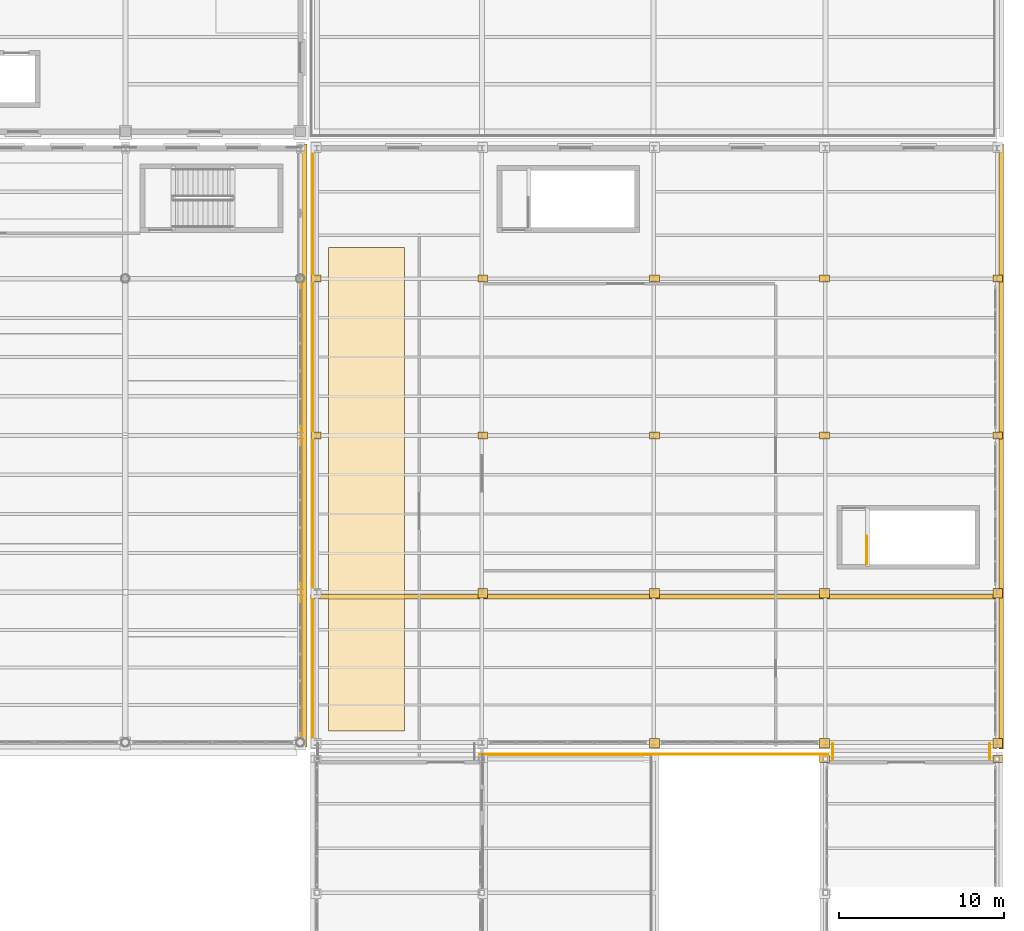
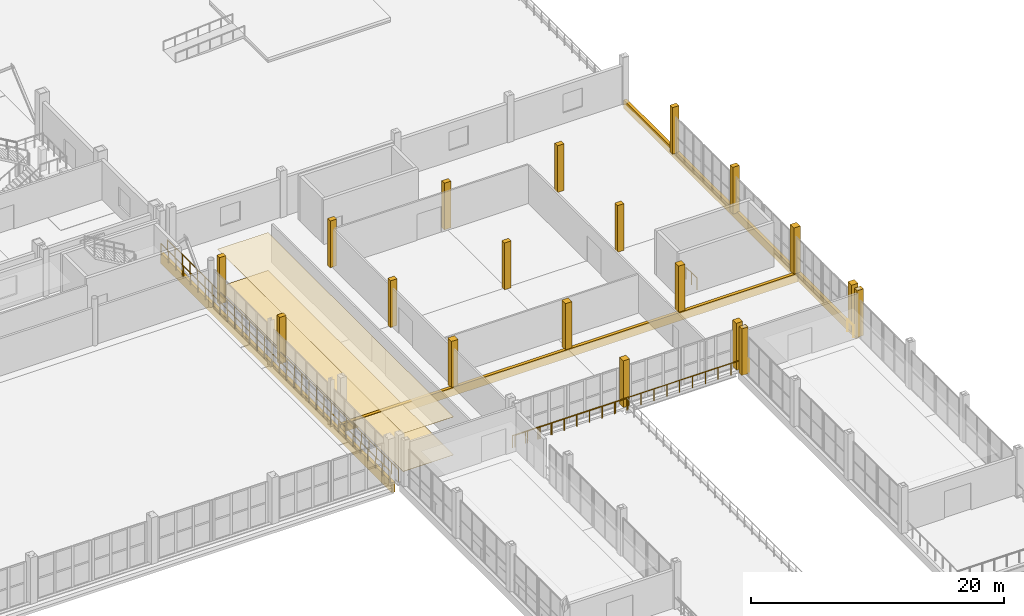
# One storey, part 151 of 156: 24 coverings, 7 railings.
"""IFC4 building model written with IfcOpenShell, lengths in metres."""

from ifc_helpers import new_model, si_unit, direction, frame, frame_2d, origin, origin_2d, place, context, subcontext, project, spatial, polyline, rectangle, circle, outline, extrude, material, layer, layer_set, type_object, element, save


model = new_model("IFC4")

# Units and contexts
model_context = context("Model", 3, precision=1e-05, world=origin(), true_north=direction((0.0, 1.0)))
body_context = subcontext(model_context, "Body", "Model", "MODEL_VIEW")
ifc_project = project(units=[si_unit("LENGTHUNIT", "METRE"), si_unit("AREAUNIT", "SQUARE_METRE"), si_unit("VOLUMEUNIT", "CUBIC_METRE"), si_unit("PLANEANGLEUNIT", "RADIAN"), si_unit("MASSUNIT", "GRAM", prefix="KILO")], contexts=[model_context])

# Site, building, storey
site_placement = place(None, origin())
site = spatial("IfcSite", under=ifc_project, at=site_placement, CompositionType="ELEMENT")
building_placement = place(site_placement, origin())
building = spatial("IfcBuilding", under=site, at=building_placement, Name="Caurita Quay Ferry Terminal", CompositionType="ELEMENT")
storey_placement = place(building_placement, frame((0.0, 0.0, 5.39990234375)))
storey = spatial("IfcBuildingStorey", under=building, at=storey_placement, Name="L01", CompositionType="ELEMENT", Elevation=5.39990234375)

# Coverings
ifc_material_1 = material(Name="Acoustic mineral fibre tile", Category="finish")
ifc_layer_1 = layer(ifc_material_1, 0.02001953125, Name="Acoustic mineral-fibre suspended ceiling 20 mm")
ifc_layer_set_1 = layer_set([ifc_layer_1], Name="Acoustic mineral fibre tile")
covering_type_1 = type_object("IfcCoveringType", Name="COV-CEIL-020", PredefinedType="CEILING", material=ifc_layer_set_1)
covering_1_placement = place(storey_placement, frame((0.0, 0.0, 3.670166015625)))
element("IfcCovering", 1, at=covering_1_placement, inside=storey, type_object=covering_type_1, Name="Berth 1 Boarding Gate Hold Lounge Acoustic Ceiling", PredefinedType="CEILING", context=body_context, shape_type="SweptSolid", body=[
    extrude(outline(polyline([(133.5, 35.300048828125), (138.10009765625, 35.300048828125), (138.10009765625, 64.60009765625), (133.5, 64.60009765625), (133.5, 35.300048828125)])), origin(), (0.0, 0.0, 1.0), 0.02001953125),
])
ifc_material_2 = material(Name="Coral stone ashlar cladding", Category="masonry")
ifc_layer_2 = layer(ifc_material_2, 0.239990234375, Name="Classical coral-stone entablature and cornice moulding 240 mm")
ifc_layer_set_2 = layer_set([ifc_layer_2], Name="Coral stone ashlar cladding")
covering_type_2 = type_object("IfcCoveringType", Name="COV-ENT-MLD", PredefinedType="MOLDING", material=ifc_layer_set_2)
covering_2_placement = place(storey_placement, frame((132.06005859375, 34.340087890625, -0.89990234375), z_axis=(0.0, 0.0, 1.0), x_axis=(0.0, 1.0, 0.0)))
element("IfcCovering", 2, at=covering_2_placement, inside=storey, type_object=covering_type_2, Name="L01 Classical Entablature Cornice 045", PredefinedType="MOLDING", context=body_context, shape_type="SweptSolid", body=[
    extrude(rectangle(XDim=36.510009765625, YDim=0.280029296875, at=frame_2d((18.2548828125, 0.0))), origin(), (0.0, 0.0, 1.0), 0.97998046875),
])
covering_3_placement = place(storey_placement, frame((132.39990234375, 43.43994140625, -0.75), z_axis=(0.0, 0.0, 1.0), x_axis=(1.0, 0.0, 0.0)))
element("IfcCovering", 3, at=covering_3_placement, inside=storey, type_object=covering_type_2, Name="L01 Classical Entablature Cornice 049", PredefinedType="MOLDING", context=body_context, shape_type="SweptSolid", body=[
    extrude(rectangle(XDim=41.860107421875, YDim=0.280029296875, at=frame_2d((20.93017578125, 0.0))), origin(), (0.0, 0.0, 1.0), 0.81005859375),
])
covering_4_placement = place(storey_placement, frame((174.260009765625, 34.199951171875, -0.75), z_axis=(0.0, 0.0, 1.0), x_axis=(0.0, 1.0, 0.0)))
element("IfcCovering", 4, at=covering_4_placement, inside=storey, type_object=covering_type_2, Name="L01 Classical Entablature Cornice 050", PredefinedType="MOLDING", context=body_context, shape_type="SweptSolid", body=[
    extrude(rectangle(XDim=36.650146484375, YDim=0.280029296875, at=frame_2d((18.3251953125, 0.0))), origin(), (0.0, 0.0, 1.0), 0.81005859375),
])
ifc_material_3 = material(Name="Polished marine terrazzo tile", Category="finish")
ifc_layer_3 = layer(ifc_material_3, 0.02490234375, Name="Polished marine terrazzo floor finish 25 mm")
ifc_layer_set_3 = layer_set([ifc_layer_3], Name="Polished marine terrazzo tile")
covering_type_3 = type_object("IfcCoveringType", Name="COV-FLR-025", PredefinedType="FLOORING", material=ifc_layer_set_3)
covering_5_placement = place(storey_placement, origin())
element("IfcCovering", 5, at=covering_5_placement, inside=storey, type_object=covering_type_3, Name="Berth 1 Boarding Gate Hold Lounge Terrazzo Flooring", PredefinedType="FLOORING", context=body_context, shape_type="SweptSolid", body=[
    extrude(outline(polyline([(133.5, 35.300048828125), (138.10009765625, 35.300048828125), (138.10009765625, 64.60009765625), (133.5, 64.60009765625), (133.5, 35.300048828125)])), origin(), (0.0, 0.0, 1.0), 0.025146484375),
])
ifc_material_4 = material(Name="Warm-white lime stucco masonry", Category="masonry")
ifc_layer_4 = layer(ifc_material_4, 0.179931640625, Name="Classical engaged lime-stucco facade pilaster cladding 180 mm")
ifc_layer_set_4 = layer_set([ifc_layer_4], Name="Warm-white lime stucco masonry")
covering_type_4 = type_object("IfcCoveringType", Name="COV-PIL-CLD", PredefinedType="CLADDING", material=ifc_layer_set_4)
for number, where, z_axis, x_axis, name in (
    (6, (132.75, 53.199951171875, 0.0), (0.0, 0.0, 1.0), (1.0, 0.0, 0.0), "L01 Classical Engaged Pilaster 0122"),
    (7, (132.75, 62.699951171875, 0.0), (0.0, 0.0, 1.0), (1.0, 0.0, 0.0), "L01 Classical Engaged Pilaster 0124"),
):
    element("IfcCovering", number, at=place(storey_placement, frame(where, z_axis=z_axis, x_axis=x_axis)), inside=storey, type_object=covering_type_4, Name=name, PredefinedType="CLADDING", context=body_context, shape_type="SweptSolid", body=[
        extrude(rectangle(XDim=0.584716796875, YDim=0.42724609375, at=origin_2d()), origin(), (0.0, 0.0, 1.0), 4.5),
    ])
covering_6_placement = place(storey_placement, frame((142.85009765625, 43.64990234375, 0.0), z_axis=(0.0, 0.0, 1.0), x_axis=(1.0, 0.0, 0.0)))
element("IfcCovering", 8, at=covering_6_placement, inside=storey, type_object=covering_type_4, Name="L01 Classical Engaged Pilaster 0139", PredefinedType="CLADDING", context=body_context, shape_type="SweptSolid", body=[
    extrude(rectangle(XDim=0.584716796875, YDim=0.58740234375, at=origin_2d()), origin(), (0.0, 0.0, 1.0), 4.5),
])
for number, where, z_axis, x_axis, name in (
    (9, (142.85009765625, 53.199951171875, 0.0), (0.0, 0.0, 1.0), (1.0, 0.0, 0.0), "L01 Classical Engaged Pilaster 0141"),
    (10, (142.85009765625, 62.699951171875, 0.0), (0.0, 0.0, 1.0), (1.0, 0.0, 0.0), "L01 Classical Engaged Pilaster 0143"),
):
    element("IfcCovering", number, at=place(storey_placement, frame(where, z_axis=z_axis, x_axis=x_axis)), inside=storey, type_object=covering_type_4, Name=name, PredefinedType="CLADDING", context=body_context, shape_type="SweptSolid", body=[
        extrude(rectangle(XDim=0.584716796875, YDim=0.42724609375, at=origin_2d()), origin(), (0.0, 0.0, 1.0), 4.5),
    ])
for number, where, z_axis, x_axis, name in (
    (11, (153.25, 34.550048828125, 0.0), (0.0, 0.0, 1.0), (1.0, 0.0, 0.0), "L01 Classical Engaged Pilaster 0156"),
    (12, (153.25, 43.64990234375, 0.0), (0.0, 0.0, 1.0), (1.0, 0.0, 0.0), "L01 Classical Engaged Pilaster 0158"),
):
    element("IfcCovering", number, at=place(storey_placement, frame(where, z_axis=z_axis, x_axis=x_axis)), inside=storey, type_object=covering_type_4, Name=name, PredefinedType="CLADDING", context=body_context, shape_type="SweptSolid", body=[
        extrude(rectangle(XDim=0.584716796875, YDim=0.58740234375, at=origin_2d()), origin(), (0.0, 0.0, 1.0), 4.5),
    ])
for number, where, z_axis, x_axis, name in (
    (13, (153.25, 53.199951171875, 0.0), (0.0, 0.0, 1.0), (1.0, 0.0, 0.0), "L01 Classical Engaged Pilaster 0160"),
    (14, (153.25, 62.699951171875, 0.0), (0.0, 0.0, 1.0), (1.0, 0.0, 0.0), "L01 Classical Engaged Pilaster 0162"),
):
    element("IfcCovering", number, at=place(storey_placement, frame(where, z_axis=z_axis, x_axis=x_axis)), inside=storey, type_object=covering_type_4, Name=name, PredefinedType="CLADDING", context=body_context, shape_type="SweptSolid", body=[
        extrude(rectangle(XDim=0.584716796875, YDim=0.42724609375, at=origin_2d()), origin(), (0.0, 0.0, 1.0), 4.5),
    ])
for number, where, z_axis, x_axis, name in (
    (15, (163.550048828125, 34.550048828125, 0.0), (0.0, 0.0, 1.0), (1.0, 0.0, 0.0), "L01 Classical Engaged Pilaster 0171"),
    (16, (163.550048828125, 43.64990234375, 0.0), (0.0, 0.0, 1.0), (1.0, 0.0, 0.0), "L01 Classical Engaged Pilaster 0173"),
):
    element("IfcCovering", number, at=place(storey_placement, frame(where, z_axis=z_axis, x_axis=x_axis)), inside=storey, type_object=covering_type_4, Name=name, PredefinedType="CLADDING", context=body_context, shape_type="SweptSolid", body=[
        extrude(rectangle(XDim=0.584716796875, YDim=0.58740234375, at=origin_2d()), origin(), (0.0, 0.0, 1.0), 4.5),
    ])
for number, where, z_axis, x_axis, name in (
    (17, (163.550048828125, 53.199951171875, 0.0), (0.0, 0.0, 1.0), (1.0, 0.0, 0.0), "L01 Classical Engaged Pilaster 0175"),
    (18, (163.550048828125, 62.699951171875, 0.0), (0.0, 0.0, 1.0), (1.0, 0.0, 0.0), "L01 Classical Engaged Pilaster 0177"),
):
    element("IfcCovering", number, at=place(storey_placement, frame(where, z_axis=z_axis, x_axis=x_axis)), inside=storey, type_object=covering_type_4, Name=name, PredefinedType="CLADDING", context=body_context, shape_type="SweptSolid", body=[
        extrude(rectangle(XDim=0.584716796875, YDim=0.42724609375, at=origin_2d()), origin(), (0.0, 0.0, 1.0), 4.5),
    ])
covering_7_placement = place(storey_placement, frame((163.550048828125, 33.60009765625, 0.0), z_axis=(0.0, 0.0, 1.0), x_axis=(1.0, 0.0, 0.0)))
element("IfcCovering", 19, at=covering_7_placement, inside=storey, type_object=covering_type_4, Name="L01 Classical Engaged Pilaster 0188", PredefinedType="CLADDING", context=body_context, shape_type="SweptSolid", body=[
    extrude(rectangle(XDim=0.584716796875, YDim=0.4248046875, at=origin_2d()), origin(), (0.0, 0.0, 1.0), 4.5),
])
for number, where, z_axis, x_axis, name in (
    (20, (174.050048828125, 34.550048828125, 0.0), (0.0, 0.0, 1.0), (1.0, 0.0, 0.0), "L01 Classical Engaged Pilaster 0190"),
    (21, (174.050048828125, 43.64990234375, 0.0), (0.0, 0.0, 1.0), (1.0, 0.0, 0.0), "L01 Classical Engaged Pilaster 0192"),
):
    element("IfcCovering", number, at=place(storey_placement, frame(where, z_axis=z_axis, x_axis=x_axis)), inside=storey, type_object=covering_type_4, Name=name, PredefinedType="CLADDING", context=body_context, shape_type="SweptSolid", body=[
        extrude(rectangle(XDim=0.584716796875, YDim=0.58740234375, at=origin_2d()), origin(), (0.0, 0.0, 1.0), 4.5),
    ])
for number, where, z_axis, x_axis, name in (
    (22, (174.050048828125, 53.199951171875, 0.0), (0.0, 0.0, 1.0), (1.0, 0.0, 0.0), "L01 Classical Engaged Pilaster 0194"),
    (23, (174.050048828125, 62.699951171875, 0.0), (0.0, 0.0, 1.0), (1.0, 0.0, 0.0), "L01 Classical Engaged Pilaster 0196"),
):
    element("IfcCovering", number, at=place(storey_placement, frame(where, z_axis=z_axis, x_axis=x_axis)), inside=storey, type_object=covering_type_4, Name=name, PredefinedType="CLADDING", context=body_context, shape_type="SweptSolid", body=[
        extrude(rectangle(XDim=0.584716796875, YDim=0.42724609375, at=origin_2d()), origin(), (0.0, 0.0, 1.0), 4.5),
    ])
covering_8_placement = place(storey_placement, frame((174.050048828125, 33.60009765625, 0.0), z_axis=(0.0, 0.0, 1.0), x_axis=(1.0, 0.0, 0.0)))
element("IfcCovering", 24, at=covering_8_placement, inside=storey, type_object=covering_type_4, Name="L01 Classical Engaged Pilaster 0207", PredefinedType="CLADDING", context=body_context, shape_type="SweptSolid", body=[
    extrude(rectangle(XDim=0.584716796875, YDim=0.4248046875, at=origin_2d()), origin(), (0.0, 0.0, 1.0), 4.5),
])

# Railings
ifc_material_5 = material(Name="Bronze architectural metalwork", Category="metal")
railing_type = type_object("IfcRailingType", Name="RL-REJA-115", PredefinedType="BALUSTRADE", material=ifc_material_5)
railing_1_placement = place(storey_placement, frame((153.050048828125, 33.85009765625, 0.0)))
element("IfcRailing", 25, at=railing_1_placement, inside=storey, type_object=railing_type, Name="Berth 1 Side Deck Balustrade (031)", PredefinedType="BALUSTRADE", context=body_context, shape_type="SweptSolid", body=[
    extrude(circle(Radius=0.02392578125, at=origin_2d()), frame((0.0, 0.0, 1.1259765625), z_axis=(-1.0, 0.0, 0.0), x_axis=(0.0, -1.0, 0.0)), (0.0, 0.0, 1.0), 10.199951171875),
    extrude(circle(Radius=0.02099609375, at=origin_2d()), origin(), (0.0, 0.0, 1.0), 1.101806640625),
    extrude(circle(Radius=0.02099609375, at=origin_2d()), frame((-1.13330078125, 0.0, 0.0)), (0.0, 0.0, 1.0), 1.101806640625),
    extrude(circle(Radius=0.02099609375, at=origin_2d()), frame((-2.2666015625, 0.0, 0.0)), (0.0, 0.0, 1.0), 1.101806640625),
    extrude(circle(Radius=0.02099609375, at=origin_2d()), frame((-3.39990234375, 0.0, 0.0)), (0.0, 0.0, 1.0), 1.101806640625),
    extrude(circle(Radius=0.02099609375, at=origin_2d()), frame((-4.533203125, 0.0, 0.0)), (0.0, 0.0, 1.0), 1.101806640625),
    extrude(circle(Radius=0.02099609375, at=origin_2d()), frame((-5.666748046875, 0.0, 0.0)), (0.0, 0.0, 1.0), 1.101806640625),
    extrude(circle(Radius=0.02099609375, at=origin_2d()), frame((-6.800048828125, 0.0, 0.0)), (0.0, 0.0, 1.0), 1.101806640625),
    extrude(circle(Radius=0.02099609375, at=origin_2d()), frame((-7.933349609375, 0.0, 0.0)), (0.0, 0.0, 1.0), 1.101806640625),
    extrude(circle(Radius=0.02099609375, at=origin_2d()), frame((-9.066650390625, 0.0, 0.0)), (0.0, 0.0, 1.0), 1.101806640625),
    extrude(circle(Radius=0.02099609375, at=origin_2d()), frame((-10.199951171875, 0.0, 0.0)), (0.0, 0.0, 1.0), 1.101806640625),
])
for number, where, name in (
    (26, (164.050048828125, 33.60009765625, 0.0), "L01 SJ3 Gangway Bridge Side Guard W (063)"),
    (27, (173.550048828125, 33.60009765625, 0.0), "L01 SJ3 Gangway Bridge Side Guard E (064)"),
):
    element("IfcRailing", number, at=place(storey_placement, frame(where)), inside=storey, type_object=railing_type, Name=name, PredefinedType="BALUSTRADE", context=body_context, shape_type="SweptSolid", body=[
        extrude(circle(Radius=0.02392578125, at=origin_2d()), frame((0.0, 0.0, 1.1259765625), z_axis=(0.0, 1.0, 0.0), x_axis=(-1.0, 0.0, 0.0)), (0.0, 0.0, 1.0), 0.949951171875),
        extrude(circle(Radius=0.02099609375, at=origin_2d()), origin(), (0.0, 0.0, 1.0), 1.101806640625),
        extrude(circle(Radius=0.02099609375, at=origin_2d()), frame((0.0, 0.949951171875, 0.0)), (0.0, 0.0, 1.0), 1.101806640625),
    ])
railing_2_placement = place(storey_placement, frame((131.85009765625, 70.64990234375, 0.0)))
element("IfcRailing", 28, at=railing_2_placement, inside=storey, type_object=railing_type, Name="L01 V2 NE Corner Guard (101)", PredefinedType="BALUSTRADE", context=body_context, shape_type="SweptSolid", body=[
    extrude(circle(Radius=0.02392578125, at=origin_2d()), frame((0.0, 0.0, 1.1259765625), z_axis=(0.0, -1.0, 0.0), x_axis=(1.0, 0.0, 0.0)), (0.0, 0.0, 1.0), 36.14990234375),
    extrude(circle(Radius=0.02099609375, at=origin_2d()), origin(), (0.0, 0.0, 1.0), 1.101806640625),
    extrude(circle(Radius=0.02099609375, at=origin_2d()), frame((0.0, -1.166015625, 0.0)), (0.0, 0.0, 1.0), 1.101806640625),
    extrude(circle(Radius=0.02099609375, at=origin_2d()), frame((0.0, -2.332275390625, 0.0)), (0.0, 0.0, 1.0), 1.101806640625),
    extrude(circle(Radius=0.02099609375, at=origin_2d()), frame((0.0, -3.498291015625, 0.0)), (0.0, 0.0, 1.0), 1.101806640625),
    extrude(circle(Radius=0.02099609375, at=origin_2d()), frame((0.0, -4.66455078125, 0.0)), (0.0, 0.0, 1.0), 1.101806640625),
    extrude(circle(Radius=0.02099609375, at=origin_2d()), frame((0.0, -5.83056640625, 0.0)), (0.0, 0.0, 1.0), 1.101806640625),
    extrude(circle(Radius=0.02099609375, at=origin_2d()), frame((0.0, -6.996826171875, 0.0)), (0.0, 0.0, 1.0), 1.101806640625),
    extrude(circle(Radius=0.02099609375, at=origin_2d()), frame((0.0, -8.162841796875, 0.0)), (0.0, 0.0, 1.0), 1.101806640625),
    extrude(circle(Radius=0.02099609375, at=origin_2d()), frame((0.0, -9.3291015625, 0.0)), (0.0, 0.0, 1.0), 1.101806640625),
    extrude(circle(Radius=0.02099609375, at=origin_2d()), frame((0.0, -10.4951171875, 0.0)), (0.0, 0.0, 1.0), 1.101806640625),
    extrude(circle(Radius=0.02099609375, at=origin_2d()), frame((0.0, -11.661376953125, 0.0)), (0.0, 0.0, 1.0), 1.101806640625),
    extrude(circle(Radius=0.02099609375, at=origin_2d()), frame((0.0, -12.827392578125, 0.0)), (0.0, 0.0, 1.0), 1.101806640625),
    extrude(circle(Radius=0.02099609375, at=origin_2d()), frame((0.0, -13.993408203125, 0.0)), (0.0, 0.0, 1.0), 1.101806640625),
    extrude(circle(Radius=0.02099609375, at=origin_2d()), frame((0.0, -15.15966796875, 0.0)), (0.0, 0.0, 1.0), 1.101806640625),
    extrude(circle(Radius=0.02099609375, at=origin_2d()), frame((0.0, -16.32568359375, 0.0)), (0.0, 0.0, 1.0), 1.101806640625),
    extrude(circle(Radius=0.02099609375, at=origin_2d()), frame((0.0, -17.491943359375, 0.0)), (0.0, 0.0, 1.0), 1.101806640625),
    extrude(circle(Radius=0.02099609375, at=origin_2d()), frame((0.0, -18.657958984375, 0.0)), (0.0, 0.0, 1.0), 1.101806640625),
    extrude(circle(Radius=0.02099609375, at=origin_2d()), frame((0.0, -19.82421875, 0.0)), (0.0, 0.0, 1.0), 1.101806640625),
    extrude(circle(Radius=0.02099609375, at=origin_2d()), frame((0.0, -20.990234375, 0.0)), (0.0, 0.0, 1.0), 1.101806640625),
    extrude(circle(Radius=0.02099609375, at=origin_2d()), frame((0.0, -22.156494140625, 0.0)), (0.0, 0.0, 1.0), 1.101806640625),
    extrude(circle(Radius=0.02099609375, at=origin_2d()), frame((0.0, -23.322509765625, 0.0)), (0.0, 0.0, 1.0), 1.101806640625),
    extrude(circle(Radius=0.02099609375, at=origin_2d()), frame((0.0, -24.488525390625, 0.0)), (0.0, 0.0, 1.0), 1.101806640625),
    extrude(circle(Radius=0.02099609375, at=origin_2d()), frame((0.0, -25.65478515625, 0.0)), (0.0, 0.0, 1.0), 1.101806640625),
    extrude(circle(Radius=0.02099609375, at=origin_2d()), frame((0.0, -26.82080078125, 0.0)), (0.0, 0.0, 1.0), 1.101806640625),
    extrude(circle(Radius=0.02099609375, at=origin_2d()), frame((0.0, -27.987060546875, 0.0)), (0.0, 0.0, 1.0), 1.101806640625),
    extrude(circle(Radius=0.02099609375, at=origin_2d()), frame((0.0, -29.153076171875, 0.0)), (0.0, 0.0, 1.0), 1.101806640625),
    extrude(circle(Radius=0.02099609375, at=origin_2d()), frame((0.0, -30.3193359375, 0.0)), (0.0, 0.0, 1.0), 1.101806640625),
    extrude(circle(Radius=0.02099609375, at=origin_2d()), frame((0.0, -31.4853515625, 0.0)), (0.0, 0.0, 1.0), 1.101806640625),
    extrude(circle(Radius=0.02099609375, at=origin_2d()), frame((0.0, -32.651611328125, 0.0)), (0.0, 0.0, 1.0), 1.101806640625),
    extrude(circle(Radius=0.02099609375, at=origin_2d()), frame((0.0, -33.817626953125, 0.0)), (0.0, 0.0, 1.0), 1.101806640625),
    extrude(circle(Radius=0.02099609375, at=origin_2d()), frame((0.0, -34.98388671875, 0.0)), (0.0, 0.0, 1.0), 1.101806640625),
    extrude(circle(Radius=0.02099609375, at=origin_2d()), frame((0.0, -36.14990234375, 0.0)), (0.0, 0.0, 1.0), 1.101806640625),
])
railing_3_placement = place(storey_placement, frame((132.550048828125, 34.35009765625, 0.0)))
element("IfcRailing", 29, at=railing_3_placement, inside=storey, type_object=railing_type, Name="L01 Boarding Wing West Edge Guard (111)", PredefinedType="BALUSTRADE", context=body_context, shape_type="SweptSolid", body=[
    extrude(circle(Radius=0.02392578125, at=origin_2d()), frame((0.0, 0.0, 1.1259765625), z_axis=(0.0, 1.0, 0.0), x_axis=(-1.0, 0.0, 0.0)), (0.0, 0.0, 1.0), 36.5),
    extrude(circle(Radius=0.02099609375, at=origin_2d()), origin(), (0.0, 0.0, 1.0), 1.101806640625),
    extrude(circle(Radius=0.02099609375, at=origin_2d()), frame((0.0, 1.177490234375, 0.0)), (0.0, 0.0, 1.0), 1.101806640625),
    extrude(circle(Radius=0.02099609375, at=origin_2d()), frame((0.0, 2.354736328125, 0.0)), (0.0, 0.0, 1.0), 1.101806640625),
    extrude(circle(Radius=0.02099609375, at=origin_2d()), frame((0.0, 3.5322265625, 0.0)), (0.0, 0.0, 1.0), 1.101806640625),
    extrude(circle(Radius=0.02099609375, at=origin_2d()), frame((0.0, 4.709716796875, 0.0)), (0.0, 0.0, 1.0), 1.101806640625),
    extrude(circle(Radius=0.02099609375, at=origin_2d()), frame((0.0, 5.88720703125, 0.0)), (0.0, 0.0, 1.0), 1.101806640625),
    extrude(circle(Radius=0.02099609375, at=origin_2d()), frame((0.0, 7.064453125, 0.0)), (0.0, 0.0, 1.0), 1.101806640625),
    extrude(circle(Radius=0.02099609375, at=origin_2d()), frame((0.0, 8.241943359375, 0.0)), (0.0, 0.0, 1.0), 1.101806640625),
    extrude(circle(Radius=0.02099609375, at=origin_2d()), frame((0.0, 9.41943359375, 0.0)), (0.0, 0.0, 1.0), 1.101806640625),
    extrude(circle(Radius=0.02099609375, at=origin_2d()), frame((0.0, 10.5966796875, 0.0)), (0.0, 0.0, 1.0), 1.101806640625),
    extrude(circle(Radius=0.02099609375, at=origin_2d()), frame((0.0, 11.774169921875, 0.0)), (0.0, 0.0, 1.0), 1.101806640625),
    extrude(circle(Radius=0.02099609375, at=origin_2d()), frame((0.0, 12.95166015625, 0.0)), (0.0, 0.0, 1.0), 1.101806640625),
    extrude(circle(Radius=0.02099609375, at=origin_2d()), frame((0.0, 14.129150390625, 0.0)), (0.0, 0.0, 1.0), 1.101806640625),
    extrude(circle(Radius=0.02099609375, at=origin_2d()), frame((0.0, 15.306396484375, 0.0)), (0.0, 0.0, 1.0), 1.101806640625),
    extrude(circle(Radius=0.02099609375, at=origin_2d()), frame((0.0, 16.48388671875, 0.0)), (0.0, 0.0, 1.0), 1.101806640625),
    extrude(circle(Radius=0.02099609375, at=origin_2d()), frame((0.0, 17.661376953125, 0.0)), (0.0, 0.0, 1.0), 1.101806640625),
    extrude(circle(Radius=0.02099609375, at=origin_2d()), frame((0.0, 18.838623046875, 0.0)), (0.0, 0.0, 1.0), 1.101806640625),
    extrude(circle(Radius=0.02099609375, at=origin_2d()), frame((0.0, 20.01611328125, 0.0)), (0.0, 0.0, 1.0), 1.101806640625),
    extrude(circle(Radius=0.02099609375, at=origin_2d()), frame((0.0, 21.193603515625, 0.0)), (0.0, 0.0, 1.0), 1.101806640625),
    extrude(circle(Radius=0.02099609375, at=origin_2d()), frame((0.0, 22.370849609375, 0.0)), (0.0, 0.0, 1.0), 1.101806640625),
    extrude(circle(Radius=0.02099609375, at=origin_2d()), frame((0.0, 23.54833984375, 0.0)), (0.0, 0.0, 1.0), 1.101806640625),
    extrude(circle(Radius=0.02099609375, at=origin_2d()), frame((0.0, 24.725830078125, 0.0)), (0.0, 0.0, 1.0), 1.101806640625),
    extrude(circle(Radius=0.02099609375, at=origin_2d()), frame((0.0, 25.9033203125, 0.0)), (0.0, 0.0, 1.0), 1.101806640625),
    extrude(circle(Radius=0.02099609375, at=origin_2d()), frame((0.0, 27.08056640625, 0.0)), (0.0, 0.0, 1.0), 1.101806640625),
    extrude(circle(Radius=0.02099609375, at=origin_2d()), frame((0.0, 28.258056640625, 0.0)), (0.0, 0.0, 1.0), 1.101806640625),
    extrude(circle(Radius=0.02099609375, at=origin_2d()), frame((0.0, 29.435546875, 0.0)), (0.0, 0.0, 1.0), 1.101806640625),
    extrude(circle(Radius=0.02099609375, at=origin_2d()), frame((0.0, 30.61279296875, 0.0)), (0.0, 0.0, 1.0), 1.101806640625),
    extrude(circle(Radius=0.02099609375, at=origin_2d()), frame((0.0, 31.790283203125, 0.0)), (0.0, 0.0, 1.0), 1.101806640625),
    extrude(circle(Radius=0.02099609375, at=origin_2d()), frame((0.0, 32.9677734375, 0.0)), (0.0, 0.0, 1.0), 1.101806640625),
    extrude(circle(Radius=0.02099609375, at=origin_2d()), frame((0.0, 34.145263671875, 0.0)), (0.0, 0.0, 1.0), 1.101806640625),
    extrude(circle(Radius=0.02099609375, at=origin_2d()), frame((0.0, 35.322509765625, 0.0)), (0.0, 0.0, 1.0), 1.101806640625),
    extrude(circle(Radius=0.02099609375, at=origin_2d()), frame((0.0, 36.5, 0.0)), (0.0, 0.0, 1.0), 1.101806640625),
])
railing_4_placement = place(storey_placement, frame((142.64990234375, 33.89990234375, 0.0)))
element("IfcRailing", 30, at=railing_4_placement, inside=storey, type_object=railing_type, Name="L01 V3 Basin South Edge Guard (112)", PredefinedType="BALUSTRADE", context=body_context, shape_type="SweptSolid", body=[
    extrude(circle(Radius=0.02392578125, at=origin_2d()), frame((0.0, 0.0, 1.1259765625), z_axis=(1.0, 0.0, 0.0), x_axis=(0.0, 1.0, 0.0)), (0.0, 0.0, 1.0), 21.10009765625),
    extrude(circle(Radius=0.02099609375, at=origin_2d()), origin(), (0.0, 0.0, 1.0), 1.101806640625),
    extrude(circle(Radius=0.02099609375, at=origin_2d()), frame((1.172119140625, 0.0, 0.0)), (0.0, 0.0, 1.0), 1.101806640625),
    extrude(circle(Radius=0.02099609375, at=origin_2d()), frame((2.344482421875, 0.0, 0.0)), (0.0, 0.0, 1.0), 1.101806640625),
    extrude(circle(Radius=0.02099609375, at=origin_2d()), frame((3.5166015625, 0.0, 0.0)), (0.0, 0.0, 1.0), 1.101806640625),
    extrude(circle(Radius=0.02099609375, at=origin_2d()), frame((4.68896484375, 0.0, 0.0)), (0.0, 0.0, 1.0), 1.101806640625),
    extrude(circle(Radius=0.02099609375, at=origin_2d()), frame((5.861083984375, 0.0, 0.0)), (0.0, 0.0, 1.0), 1.101806640625),
    extrude(circle(Radius=0.02099609375, at=origin_2d()), frame((7.033447265625, 0.0, 0.0)), (0.0, 0.0, 1.0), 1.101806640625),
    extrude(circle(Radius=0.02099609375, at=origin_2d()), frame((8.20556640625, 0.0, 0.0)), (0.0, 0.0, 1.0), 1.101806640625),
    extrude(circle(Radius=0.02099609375, at=origin_2d()), frame((9.3779296875, 0.0, 0.0)), (0.0, 0.0, 1.0), 1.101806640625),
    extrude(circle(Radius=0.02099609375, at=origin_2d()), frame((10.550048828125, 0.0, 0.0)), (0.0, 0.0, 1.0), 1.101806640625),
    extrude(circle(Radius=0.02099609375, at=origin_2d()), frame((11.72216796875, 0.0, 0.0)), (0.0, 0.0, 1.0), 1.101806640625),
    extrude(circle(Radius=0.02099609375, at=origin_2d()), frame((12.89453125, 0.0, 0.0)), (0.0, 0.0, 1.0), 1.101806640625),
    extrude(circle(Radius=0.02099609375, at=origin_2d()), frame((14.066650390625, 0.0, 0.0)), (0.0, 0.0, 1.0), 1.101806640625),
    extrude(circle(Radius=0.02099609375, at=origin_2d()), frame((15.239013671875, 0.0, 0.0)), (0.0, 0.0, 1.0), 1.101806640625),
    extrude(circle(Radius=0.02099609375, at=origin_2d()), frame((16.4111328125, 0.0, 0.0)), (0.0, 0.0, 1.0), 1.101806640625),
    extrude(circle(Radius=0.02099609375, at=origin_2d()), frame((17.58349609375, 0.0, 0.0)), (0.0, 0.0, 1.0), 1.101806640625),
    extrude(circle(Radius=0.02099609375, at=origin_2d()), frame((18.755615234375, 0.0, 0.0)), (0.0, 0.0, 1.0), 1.101806640625),
    extrude(circle(Radius=0.02099609375, at=origin_2d()), frame((19.927978515625, 0.0, 0.0)), (0.0, 0.0, 1.0), 1.101806640625),
    extrude(circle(Radius=0.02099609375, at=origin_2d()), frame((21.10009765625, 0.0, 0.0)), (0.0, 0.0, 1.0), 1.101806640625),
])
railing_5_placement = place(storey_placement, frame((166.10009765625, 45.39990234375, 0.0)))
element("IfcRailing", 31, at=railing_5_placement, inside=storey, type_object=railing_type, Name="L01 ST-11 top well guard 1", PredefinedType="BALUSTRADE", context=body_context, shape_type="SweptSolid", body=[
    extrude(circle(Radius=0.02392578125, at=origin_2d()), frame((0.0, 0.0, 1.1259765625), z_axis=(0.0, 1.0, 0.0), x_axis=(-1.0, 0.0, 0.0)), (0.0, 0.0, 1.0), 1.710205078125),
    extrude(circle(Radius=0.02099609375, at=origin_2d()), origin(), (0.0, 0.0, 1.0), 1.101806640625),
    extrude(circle(Radius=0.02099609375, at=origin_2d()), frame((0.0, 0.85498046875, 0.0)), (0.0, 0.0, 1.0), 1.101806640625),
    extrude(circle(Radius=0.02099609375, at=origin_2d()), frame((0.0, 1.710205078125, 0.0)), (0.0, 0.0, 1.0), 1.101806640625),
])

save(model, "model.ifc")
